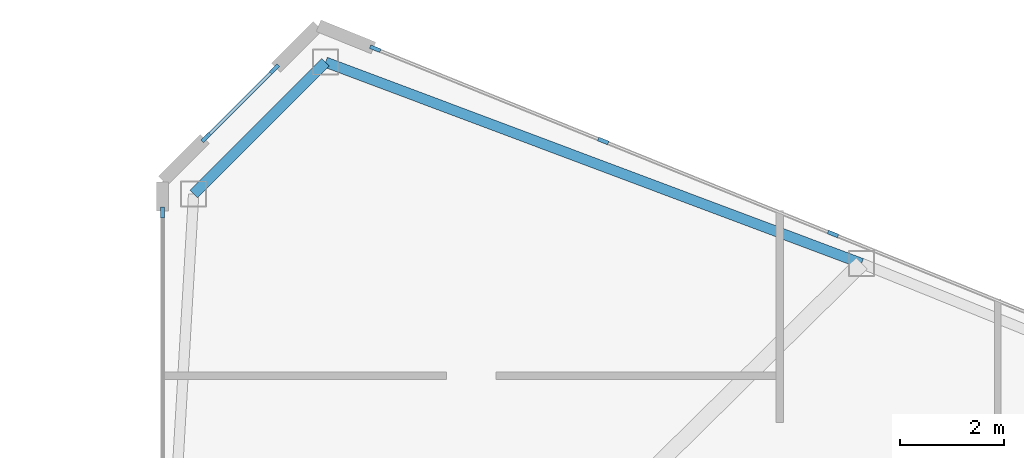
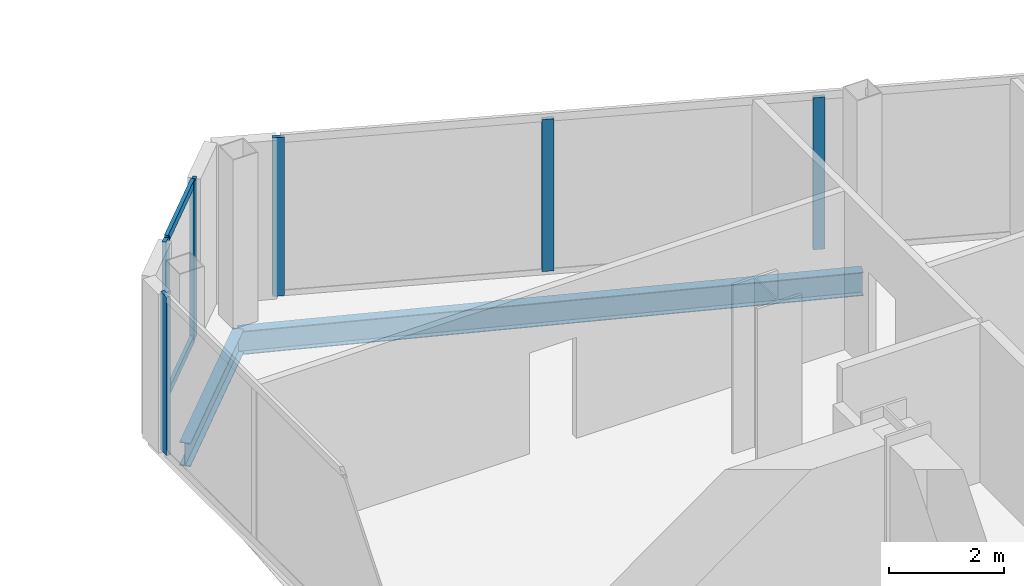
# One storey, part 13 of 25: 8 members, 2 beams, 3 elements without a shape of their own.
"""IFC4 building model written with IfcOpenShell, lengths in metres."""

import ifcopenshell
import ifcopenshell.guid

model = None  # the IFC model being written
_history = None  # IfcOwnerHistory: only IFC2X3 demands one
_inside = {}  # id of a spatial element -> (the spatial element, [elements in it])
_under = {}  # id of a project, library or spatial element -> (it, [spatial elements below it])
_declared = {}  # id of a project -> (the project, [libraries it declares])
_typed = {}  # id of a type object -> (the type object, [elements of that type])
_made_of = {}  # id of a material, layer set ... -> (it, [elements and type objects made of it])


def new_model(schema):
    """Start an empty IFC model of exactly this schema.

    Asked for "IFC4X3", IfcOpenShell would pick the latest addendum, in which some entities
    have other attributes; the version numbers below select the first issue.
    IFC2X3 requires an IfcOwnerHistory on every rooted entity: one is made here for all.
    """
    global model, _history
    if schema == "IFC4X3":
        model = ifcopenshell.file(schema_version=(4, 3, 0, 0))
    else:
        model = ifcopenshell.file(schema=schema)
    _inside.clear()
    _under.clear()
    _declared.clear()
    _typed.clear()
    _made_of.clear()
    _history = None
    if model.schema == "IFC2X3":
        org = make("IfcOrganization", Name="unknown")
        user = make(
            "IfcPersonAndOrganization",
            ThePerson=make("IfcPerson", FamilyName="unknown"),
            TheOrganization=org,
        )
        app = make(
            "IfcApplication",
            ApplicationDeveloper=org,
            Version="unknown",
            ApplicationFullName="unknown",
            ApplicationIdentifier="unknown",
        )
        _history = make(
            "IfcOwnerHistory",
            OwningUser=user,
            OwningApplication=app,
            ChangeAction="ADDED",
            CreationDate=0,
        )
    return model


def make(cls, **values):
    """One entity of the class cls with the attributes given. An attribute that is None is left unset."""
    return model.create_entity(
        cls, **{name: value for name, value in values.items() if value is not None}
    )


def rooted(cls, **values):
    """An entity with a GlobalId (a new one), such as an element, a storey or a relation."""
    return make(cls, GlobalId=ifcopenshell.guid.new(), OwnerHistory=_history, **values)


def si_unit(unit_type, name, prefix=None):
    """IfcSIUnit, for example si_unit("LENGTHUNIT", "METRE", prefix="MILLI")."""
    return make("IfcSIUnit", UnitType=unit_type, Prefix=prefix, Name=name)


def assignment(units):
    """IfcUnitAssignment: the units of a project."""
    return None if units is None else make("IfcUnitAssignment", Units=units)


def point(xyz):
    """IfcCartesianPoint."""
    return None if xyz is None else make("IfcCartesianPoint", Coordinates=xyz)


def direction(xyz):
    """IfcDirection."""
    return None if xyz is None else make("IfcDirection", DirectionRatios=xyz)


def frame(location, z_axis=None, x_axis=None):
    """IfcAxis2Placement3D, a coordinate frame: its origin and axes. An axis left out is left unset."""
    return make(
        "IfcAxis2Placement3D",
        Location=point(location),
        Axis=direction(z_axis),
        RefDirection=direction(x_axis),
    )


def frame_2d(location, x_axis=None):
    """IfcAxis2Placement2D, a coordinate frame in the plane: its origin and x axis."""
    return make(
        "IfcAxis2Placement2D", Location=point(location), RefDirection=direction(x_axis)
    )


def origin():
    """The frame at (0, 0, 0) with its axes left unset."""
    return frame((0.0, 0.0, 0.0))


def origin_2d():
    """The frame at (0, 0) in the plane with its x axis left unset."""
    return frame_2d((0.0, 0.0))


def place(relative_to, where):
    """IfcLocalPlacement: puts the frame where relative to a parent placement (None: the world)."""
    return make(
        "IfcLocalPlacement", PlacementRelTo=relative_to, RelativePlacement=where
    )


def context(
    kind, dimensions, precision=None, world=None, true_north=None, identifier=None
):
    """IfcGeometricRepresentationContext, for example the 3D "Model" context."""
    return make(
        "IfcGeometricRepresentationContext",
        ContextIdentifier=identifier,
        ContextType=kind,
        CoordinateSpaceDimension=dimensions,
        Precision=precision,
        WorldCoordinateSystem=world,
        TrueNorth=true_north,
    )


def subcontext(parent, identifier, kind, view, scale=None):
    """IfcGeometricRepresentationSubContext, for example "Body" below "Model"."""
    return make(
        "IfcGeometricRepresentationSubContext",
        ContextIdentifier=identifier,
        ContextType=kind,
        ParentContext=parent,
        TargetScale=scale,
        TargetView=view,
    )


def project(units=None, contexts=None):
    """IfcProject with its units and contexts."""
    return rooted(
        "IfcProject",
        Name="project",
        RepresentationContexts=contexts,
        UnitsInContext=assignment(units),
    )


def spatial(cls, under=None, at=None, **own):
    """A site, building, storey or space (cls), placed at a placement, below another one or the project."""
    s = rooted(cls, ObjectPlacement=at, **own)
    if under is not None:
        _under.setdefault(under.id(), (under, []))[1].append(s)
    return s


def profile(cls, at=None, kind="AREA", **sizes):
    """A parametric profile (cls). Its sizes go by their IFC names, for example OverallWidth=200.0."""
    return make(cls, ProfileType=kind, Position=at, **sizes)


def rectangle(**sizes):
    """IfcRectangleProfileDef."""
    return profile("IfcRectangleProfileDef", **sizes)


def i_section(**sizes):
    """IfcIShapeProfileDef."""
    return profile("IfcIShapeProfileDef", **sizes)


def extrude(swept, where, along, depth):
    """IfcExtrudedAreaSolid: the profile swept, set in the frame where, extruded along a direction by depth."""
    return make(
        "IfcExtrudedAreaSolid",
        SweptArea=swept,
        Position=where,
        ExtrudedDirection=direction(along),
        Depth=depth,
    )


def shape(context_of_items, identifier, shape_type, items):
    """IfcShapeRepresentation: the items that make up one representation, for example the "Body"."""
    return make(
        "IfcShapeRepresentation",
        ContextOfItems=context_of_items,
        RepresentationIdentifier=identifier,
        RepresentationType=shape_type,
        Items=items,
    )


def source(mapping_origin, context_of_items, identifier, shape_type, items):
    """IfcRepresentationMap: a shape defined once, which mapped items show again and again."""
    return make(
        "IfcRepresentationMap",
        MappingOrigin=mapping_origin,
        MappedRepresentation=shape(context_of_items, identifier, shape_type, items),
    )


def transform(
    local_origin,
    x_axis=None,
    y_axis=None,
    z_axis=None,
    scale=None,
    scale2=None,
    scale3=None,
    uniform=True,
):
    """IfcCartesianTransformationOperator3D, or its non-uniform kind. x_axis, y_axis, z_axis: its Axis1, 2, 3."""
    if uniform:
        return make(
            "IfcCartesianTransformationOperator3D",
            Axis1=direction(x_axis),
            Axis2=direction(y_axis),
            LocalOrigin=point(local_origin),
            Scale=scale,
            Axis3=direction(z_axis),
        )
    return make(
        "IfcCartesianTransformationOperator3DnonUniform",
        Axis1=direction(x_axis),
        Axis2=direction(y_axis),
        LocalOrigin=point(local_origin),
        Scale=scale,
        Axis3=direction(z_axis),
        Scale2=scale2,
        Scale3=scale3,
    )


def mapped(mapping_source, mapping_target):
    """IfcMappedItem: shows the shape of a source again, moved by a transform."""
    return make(
        "IfcMappedItem", MappingSource=mapping_source, MappingTarget=mapping_target
    )


def material(Name=None, Category=None):
    """IfcMaterial."""
    return make("IfcMaterial", Name=Name, Category=Category)


def layer(
    of_material, thickness, ventilated=None, Name=None, Category=None, Priority=None
):
    """IfcMaterialLayer: one layer of a wall or slab, of a material (None: an air gap)."""
    return make(
        "IfcMaterialLayer",
        Material=of_material,
        LayerThickness=thickness,
        IsVentilated=ventilated,
        Name=Name,
        Category=Category,
        Priority=Priority,
    )


def layer_set(layers, Name=None):
    """IfcMaterialLayerSet."""
    return make("IfcMaterialLayerSet", MaterialLayers=layers, LayerSetName=Name)


def material_profile(
    of_material, cross_section, Name=None, Category=None, Priority=None
):
    """IfcMaterialProfile: a cross section and its material."""
    return make(
        "IfcMaterialProfile",
        Name=Name,
        Material=of_material,
        Profile=cross_section,
        Priority=Priority,
        Category=Category,
    )


def profile_set(profiles, Name=None, composite=None):
    """IfcMaterialProfileSet."""
    return make(
        "IfcMaterialProfileSet",
        Name=Name,
        MaterialProfiles=profiles,
        CompositeProfile=composite,
    )


def made_of(thing, what):
    """Note that an element or type object is made of a material, layer set ...; save() writes the relation."""
    if what is not None:
        _made_of.setdefault(what.id(), (what, []))[1].append(thing)
    return thing


def type_object(cls, material=None, **own):
    """A type object (cls), such as IfcWallType, which elements share."""
    return made_of(rooted(cls, **own), material)


def type_shapes(of_type, sources):
    """Give a type object the sources (RepresentationMaps) that its elements show as mapped items."""
    of_type.RepresentationMaps = sources


def element(
    cls,
    number,
    at=None,
    inside=None,
    cuts=None,
    type_object=None,
    material=None,
    context=None,
    identifier="Body",
    shape_type=None,
    held_by="IfcProductDefinitionShape",
    body=None,
    shapes=None,
    **own,
):
    """One element of the class cls, such as IfcWall. Its Tag is "e" and its number.

    at: its placement. inside: the storey or other place that contains it. cuts: it is an
    opening in that element (IfcRelVoidsElement). A single representation is given by context,
    identifier, shape_type and body (its items); several are given by shapes. held_by: the class
    of the entity that holds the representations. save() writes the other relations.
    """
    e = rooted(cls, Tag="e%d" % number, ObjectPlacement=at, **own)
    if body is not None:
        shapes = [shape(context, identifier, shape_type, body)]
    if shapes is not None:
        e.Representation = make(held_by, Representations=shapes)
    if inside is not None:
        _inside.setdefault(inside.id(), (inside, []))[1].append(e)
    if cuts is not None:
        rooted(
            "IfcRelVoidsElement", RelatingBuildingElement=cuts, RelatedOpeningElement=e
        )
    if type_object is not None:
        _typed.setdefault(type_object.id(), (type_object, []))[1].append(e)
    return made_of(e, material)


def aggregate(whole, parts):
    """IfcRelAggregates: a whole, such as a stair, and the parts it consists of."""
    return rooted("IfcRelAggregates", RelatingObject=whole, RelatedObjects=parts)


def save(model, path):
    """Write the relations noted so far, then the file.

    IfcRelAggregates (storeys below a building ...), IfcRelContainedInSpatialStructure (elements
    in a storey), IfcRelDefinesByType, IfcRelAssociatesMaterial and IfcRelDeclares: one each for
    every whole, place, type object, material and project.
    """
    for whole, parts in _under.values():
        aggregate(whole, parts)
    for where, things in _inside.values():
        rooted(
            "IfcRelContainedInSpatialStructure",
            RelatedElements=things,
            RelatingStructure=where,
        )
    for kind, things in _typed.values():
        rooted("IfcRelDefinesByType", RelatedObjects=things, RelatingType=kind)
    for what, things in _made_of.values():
        rooted("IfcRelAssociatesMaterial", RelatedObjects=things, RelatingMaterial=what)
    for by, libraries in _declared.values():
        rooted("IfcRelDeclares", RelatingContext=by, RelatedDefinitions=libraries)
    model.write(path)


model = new_model("IFC4")

# Units and contexts
model_context = context("Model", 3, precision=1e-05, world=origin(), true_north=direction((0.0, 1.0)))
body_context = subcontext(model_context, "Body", "Model", "MODEL_VIEW")
ifc_project = project(units=[si_unit("LENGTHUNIT", "METRE"), si_unit("AREAUNIT", "SQUARE_METRE"), si_unit("VOLUMEUNIT", "CUBIC_METRE"), si_unit("PLANEANGLEUNIT", "RADIAN"), si_unit("MASSUNIT", "GRAM", prefix="KILO")], contexts=[model_context])

# Site, building, storey
site_placement = place(None, origin())
site = spatial("IfcSite", under=ifc_project, at=site_placement, CompositionType="ELEMENT")
building_placement = place(site_placement, origin())
building = spatial("IfcBuilding", under=site, at=building_placement, Name="Seokmaru Belvedere", CompositionType="ELEMENT")
storey_placement = place(building_placement, frame((0.0, 0.0, 22.5)))
storey = spatial("IfcBuildingStorey", under=building, at=storey_placement, Name="L05", CompositionType="ELEMENT", Elevation=22.5)

# Beams
ifc_material_1 = material(Name="Steel SM355 (355 MPa)", Category="steel")
ifc_material_profile_1 = material_profile(ifc_material_1, i_section(OverallWidth=0.199951171875, OverallDepth=0.5, WebThickness=0.010009765625, FlangeThickness=0.01611328125, at=origin_2d()), Name="H-500x200x10x16")
ifc_profile_set_1 = profile_set([ifc_material_profile_1], Name="Steel SM355 (355 MPa)")
beam_type = type_object("IfcBeamType", Name="Perimeter Spandrel Beam H-500", PredefinedType="SPANDREL", material=ifc_profile_set_1)
shared_shape_1 = source(origin(), body_context, "Body", "SweptSolid", [
    extrude(i_section(OverallWidth=0.199951171875, OverallDepth=0.5, WebThickness=0.010009765625, FlangeThickness=0.01611328125, at=origin_2d()), origin(), (0.0, 0.0, 1.0), 11.03857421875),
])
beam_1_placement = place(storey_placement, frame((30.643310546875, 26.294677734375, -0.469970703125), z_axis=(0.936169110734, -0.351549990907, 0.0), x_axis=(0.351549990907, 0.936169110734, 0.0)))
element("IfcBeam", 1, at=beam_1_placement, inside=storey, type_object=beam_type, Name="L05 E Faceted Flank Spandrel N-1", PredefinedType="SPANDREL", context=body_context, shape_type="MappedRepresentation", body=[
    mapped(shared_shape_1, transform((0.0, 0.0, 0.0), scale=1.0)),
])
shared_shape_2 = source(origin(), body_context, "Body", "SweptSolid", [
    extrude(i_section(OverallWidth=0.199951171875, OverallDepth=0.5, WebThickness=0.010009765625, FlangeThickness=0.01611328125, at=origin_2d()), origin(), (0.0, 0.0, 1.0), 3.5966796875),
])
type_shapes(beam_type, [shared_shape_1, shared_shape_2])
beam_2_placement = place(storey_placement, frame((30.643310546875, 26.294677734375, -0.469970703125), z_axis=(-0.707106781187, -0.707106781187, 0.0), x_axis=(0.707106781187, -0.707106781187, 0.0)))
element("IfcBeam", 2, at=beam_2_placement, inside=storey, type_object=beam_type, Name="L05 E Shoulder Chamfer Spandrel N", PredefinedType="SPANDREL", context=body_context, shape_type="MappedRepresentation", body=[
    mapped(shared_shape_2, transform((0.0, 0.0, 0.0), scale=1.0)),
])

# Curtain wall, members
ifc_material_2 = material(Name="Bronze Triple Insulating Glass", Category="glass")
ifc_layer = layer(ifc_material_2, 0.2099609375)
ifc_layer_set = layer_set([ifc_layer], Name="Bronze Triple Insulating Glass")
curtain_wall_type = type_object("IfcCurtainWallType", Name="Low-Rise Faceted Crystal Curtain Wall System CW-2", PredefinedType="NOTDEFINED", material=ifc_layer_set)
curtain_wall_1_placement = place(storey_placement, origin())
curtain_wall_1 = element("IfcCurtainWall", 3, at=curtain_wall_1_placement, inside=storey, type_object=curtain_wall_type, Name="L05 Curtain Wall EF4", PredefinedType="NOTDEFINED")
ifc_material_3 = material(Name="Anodised Bronze Aluminium", Category="aluminium")
ifc_material_profile_2 = material_profile(ifc_material_3, rectangle(XDim=0.070068359375, YDim=0.1650390625, at=origin_2d()), Name="CW-T-70x165")
ifc_profile_set_2 = profile_set([ifc_material_profile_2], Name="Anodised Bronze Aluminium")
member_type_1 = type_object("IfcMemberType", Name="Bronze Unitised Transom 70x165", PredefinedType="USERDEFINED", material=ifc_profile_set_2)
shared_shape_3 = source(origin(), body_context, "Body", "SweptSolid", [
    extrude(rectangle(XDim=0.070068359375, YDim=0.1650390625, at=origin_2d()), origin(), (0.0, 0.0, 1.0), 1.792724609375),
])
type_shapes(member_type_1, [shared_shape_3])
member_1_placement = place(storey_placement, frame((29.6337890625, 26.1337890625, 0.034912109375), z_axis=(-0.707106781187, -0.707106781187, 0.0), x_axis=(0.707106781187, -0.707106781187, 0.0)))
member_1 = element("IfcMember", 4, at=member_1_placement, type_object=member_type_1, Name="CW:L05:EF4 Continuous Transom 1", ObjectType="TRANSOM", PredefinedType="USERDEFINED", context=body_context, shape_type="MappedRepresentation", body=[
    mapped(shared_shape_3, transform((0.0, 0.0, 0.0), scale=1.0)),
])
member_2_placement = place(storey_placement, frame((29.6337890625, 26.1337890625, 3.344970703125), z_axis=(-0.707106781187, -0.707106781187, 0.0), x_axis=(0.707106781187, -0.707106781187, 0.0)))
member_2 = element("IfcMember", 5, at=member_2_placement, type_object=member_type_1, Name="CW:L05:EF4 Continuous Transom 2", ObjectType="TRANSOM", PredefinedType="USERDEFINED", context=body_context, shape_type="MappedRepresentation", body=[
    mapped(shared_shape_3, transform((0.0, 0.0, 0.0), scale=1.0)),
])

curtain_wall_2_placement = place(storey_placement, origin())
curtain_wall_2 = element("IfcCurtainWall", 6, at=curtain_wall_2_placement, inside=storey, type_object=curtain_wall_type, Name="L05 Curtain Wall EF3", PredefinedType="NOTDEFINED")
ifc_material_profile_3 = material_profile(ifc_material_3, rectangle(XDim=0.074951171875, YDim=0.2099609375, at=origin_2d()), Name="CW-M-75x210")
ifc_profile_set_3 = profile_set([ifc_material_profile_3], Name="Anodised Bronze Aluminium")
member_type_2 = type_object("IfcMemberType", Name="Bronze Unitised Mullion 75x210", PredefinedType="MULLION", material=ifc_profile_set_3)
shared_shape_4 = source(origin(), body_context, "Body", "SweptSolid", [
    extrude(rectangle(XDim=0.074951171875, YDim=0.2099609375, at=origin_2d()), origin(), (0.0, 0.0, 1.0), 3.239990234375),
])
member_3_placement = place(storey_placement, frame((40.425537109375, 22.982421875, 0.070068359375), z_axis=(0.0, 0.0, 1.0), x_axis=(-0.375192321888, -0.926946989637, 0.0)))
member_3 = element("IfcMember", 7, at=member_3_placement, type_object=member_type_2, Name="CW:L05:EF3 Mullion 8", PredefinedType="MULLION", context=body_context, shape_type="MappedRepresentation", body=[
    mapped(shared_shape_4, transform((0.0, 0.0, 0.0), scale=1.0)),
])
member_4_placement = place(storey_placement, frame((35.995849609375, 24.775390625, 0.070068359375), z_axis=(0.0, 0.0, 1.0), x_axis=(-0.375192321888, -0.926946989637, 0.0)))
member_4 = element("IfcMember", 8, at=member_4_placement, type_object=member_type_2, Name="CW:L05:EF3 Mullion 9", PredefinedType="MULLION", context=body_context, shape_type="MappedRepresentation", body=[
    mapped(shared_shape_4, transform((0.0, 0.0, 0.0), scale=1.0)),
])
shared_shape_5 = source(origin(), body_context, "Body", "SweptSolid", [
    extrude(rectangle(XDim=0.074951171875, YDim=0.2099609375, at=origin_2d()), origin(), (0.0, 0.0, 1.0), 3.3798828125),
])
type_shapes(member_type_2, [shared_shape_4, shared_shape_5])
member_5_placement = place(storey_placement, frame((31.600830078125, 26.554443359375, 0.0), z_axis=(0.0, 0.0, 1.0), x_axis=(-0.375192321888, -0.926946989637, 0.0)))
member_5 = element("IfcMember", 9, at=member_5_placement, type_object=member_type_2, Name="CW:L05:EF3 Mullion 10", PredefinedType="MULLION", context=body_context, shape_type="MappedRepresentation", body=[
    mapped(shared_shape_5, transform((0.0, 0.0, 0.0), scale=1.0)),
])
aggregate(curtain_wall_2, [member_3, member_4, member_5])

# Member
member_6_placement = place(storey_placement, frame((29.660400390625, 26.160400390625, 0.0), z_axis=(0.0, 0.0, 1.0), x_axis=(0.707106781187, -0.707106781187, 0.0)))
member_6 = element("IfcMember", 10, at=member_6_placement, type_object=member_type_2, Name="CW:L05:EF4 Mullion 1", PredefinedType="MULLION", context=body_context, shape_type="MappedRepresentation", body=[
    mapped(shared_shape_5, transform((0.0, 0.0, 0.0), scale=1.0)),
])

member_7_placement = place(storey_placement, frame((28.339599609375, 24.839599609375, 0.0), z_axis=(0.0, 0.0, 1.0), x_axis=(0.707106781187, -0.707106781187, 0.0)))
member_7 = element("IfcMember", 11, at=member_7_placement, type_object=member_type_2, Name="CW:L05:EF4 Mullion 2", PredefinedType="MULLION", context=body_context, shape_type="MappedRepresentation", body=[
    mapped(shared_shape_5, transform((0.0, 0.0, 0.0), scale=1.0)),
])

aggregate(curtain_wall_1, [member_6, member_7, member_1, member_2])

# Curtain wall, member
curtain_wall_3_placement = place(storey_placement, origin())
curtain_wall_3 = element("IfcCurtainWall", 12, at=curtain_wall_3_placement, inside=storey, type_object=curtain_wall_type, Name="L05 Curtain Wall ESP_2", PredefinedType="NOTDEFINED")
member_8_placement = place(storey_placement, frame((27.5, 23.392578125, 0.0), z_axis=(0.0, 0.0, 1.0), x_axis=(1.0, 0.0, 0.0)))
member_8 = element("IfcMember", 13, at=member_8_placement, type_object=member_type_2, Name="CW:L05:ESP_2 Mullion 1", PredefinedType="MULLION", context=body_context, shape_type="MappedRepresentation", body=[
    mapped(shared_shape_5, transform((0.0, 0.0, 0.0), scale=1.0)),
])
aggregate(curtain_wall_3, [member_8])

save(model, "model.ifc")
